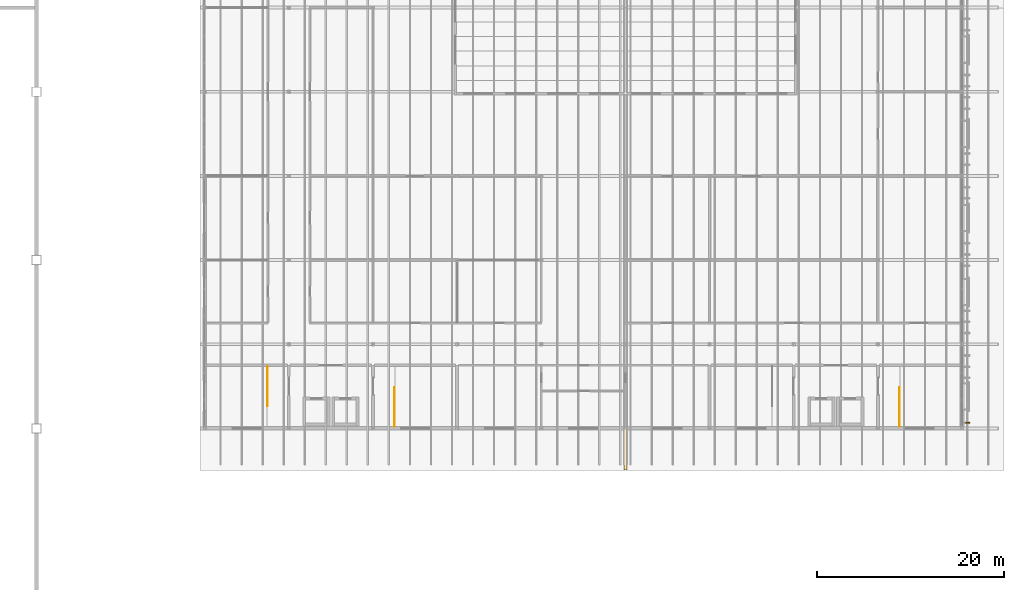
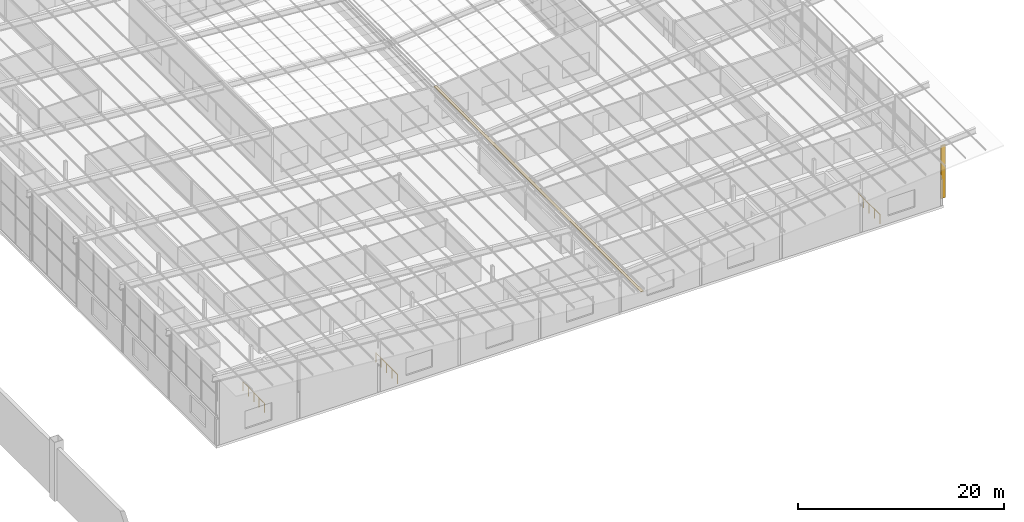
# One storey, part 83 of 85: 3 railings, 2 coverings.
"""IFC4 building model written with IfcOpenShell, lengths in metres."""

import ifcopenshell
import ifcopenshell.guid

model = None  # the IFC model being written
_history = None  # IfcOwnerHistory: only IFC2X3 demands one
_inside = {}  # id of a spatial element -> (the spatial element, [elements in it])
_under = {}  # id of a project, library or spatial element -> (it, [spatial elements below it])
_declared = {}  # id of a project -> (the project, [libraries it declares])
_typed = {}  # id of a type object -> (the type object, [elements of that type])
_made_of = {}  # id of a material, layer set ... -> (it, [elements and type objects made of it])


def new_model(schema):
    """Start an empty IFC model of exactly this schema.

    Asked for "IFC4X3", IfcOpenShell would pick the latest addendum, in which some entities
    have other attributes; the version numbers below select the first issue.
    IFC2X3 requires an IfcOwnerHistory on every rooted entity: one is made here for all.
    """
    global model, _history
    if schema == "IFC4X3":
        model = ifcopenshell.file(schema_version=(4, 3, 0, 0))
    else:
        model = ifcopenshell.file(schema=schema)
    _inside.clear()
    _under.clear()
    _declared.clear()
    _typed.clear()
    _made_of.clear()
    _history = None
    if model.schema == "IFC2X3":
        org = make("IfcOrganization", Name="unknown")
        user = make(
            "IfcPersonAndOrganization",
            ThePerson=make("IfcPerson", FamilyName="unknown"),
            TheOrganization=org,
        )
        app = make(
            "IfcApplication",
            ApplicationDeveloper=org,
            Version="unknown",
            ApplicationFullName="unknown",
            ApplicationIdentifier="unknown",
        )
        _history = make(
            "IfcOwnerHistory",
            OwningUser=user,
            OwningApplication=app,
            ChangeAction="ADDED",
            CreationDate=0,
        )
    return model


def make(cls, **values):
    """One entity of the class cls with the attributes given. An attribute that is None is left unset."""
    return model.create_entity(
        cls, **{name: value for name, value in values.items() if value is not None}
    )


def rooted(cls, **values):
    """An entity with a GlobalId (a new one), such as an element, a storey or a relation."""
    return make(cls, GlobalId=ifcopenshell.guid.new(), OwnerHistory=_history, **values)


def si_unit(unit_type, name, prefix=None):
    """IfcSIUnit, for example si_unit("LENGTHUNIT", "METRE", prefix="MILLI")."""
    return make("IfcSIUnit", UnitType=unit_type, Prefix=prefix, Name=name)


def assignment(units):
    """IfcUnitAssignment: the units of a project."""
    return None if units is None else make("IfcUnitAssignment", Units=units)


def point(xyz):
    """IfcCartesianPoint."""
    return None if xyz is None else make("IfcCartesianPoint", Coordinates=xyz)


def direction(xyz):
    """IfcDirection."""
    return None if xyz is None else make("IfcDirection", DirectionRatios=xyz)


def frame(location, z_axis=None, x_axis=None):
    """IfcAxis2Placement3D, a coordinate frame: its origin and axes. An axis left out is left unset."""
    return make(
        "IfcAxis2Placement3D",
        Location=point(location),
        Axis=direction(z_axis),
        RefDirection=direction(x_axis),
    )


def frame_2d(location, x_axis=None):
    """IfcAxis2Placement2D, a coordinate frame in the plane: its origin and x axis."""
    return make(
        "IfcAxis2Placement2D", Location=point(location), RefDirection=direction(x_axis)
    )


def origin():
    """The frame at (0, 0, 0) with its axes left unset."""
    return frame((0.0, 0.0, 0.0))


def origin_2d():
    """The frame at (0, 0) in the plane with its x axis left unset."""
    return frame_2d((0.0, 0.0))


def place(relative_to, where):
    """IfcLocalPlacement: puts the frame where relative to a parent placement (None: the world)."""
    return make(
        "IfcLocalPlacement", PlacementRelTo=relative_to, RelativePlacement=where
    )


def context(
    kind, dimensions, precision=None, world=None, true_north=None, identifier=None
):
    """IfcGeometricRepresentationContext, for example the 3D "Model" context."""
    return make(
        "IfcGeometricRepresentationContext",
        ContextIdentifier=identifier,
        ContextType=kind,
        CoordinateSpaceDimension=dimensions,
        Precision=precision,
        WorldCoordinateSystem=world,
        TrueNorth=true_north,
    )


def subcontext(parent, identifier, kind, view, scale=None):
    """IfcGeometricRepresentationSubContext, for example "Body" below "Model"."""
    return make(
        "IfcGeometricRepresentationSubContext",
        ContextIdentifier=identifier,
        ContextType=kind,
        ParentContext=parent,
        TargetScale=scale,
        TargetView=view,
    )


def project(units=None, contexts=None):
    """IfcProject with its units and contexts."""
    return rooted(
        "IfcProject",
        Name="project",
        RepresentationContexts=contexts,
        UnitsInContext=assignment(units),
    )


def spatial(cls, under=None, at=None, **own):
    """A site, building, storey or space (cls), placed at a placement, below another one or the project."""
    s = rooted(cls, ObjectPlacement=at, **own)
    if under is not None:
        _under.setdefault(under.id(), (under, []))[1].append(s)
    return s


def profile(cls, at=None, kind="AREA", **sizes):
    """A parametric profile (cls). Its sizes go by their IFC names, for example OverallWidth=200.0."""
    return make(cls, ProfileType=kind, Position=at, **sizes)


def rectangle(**sizes):
    """IfcRectangleProfileDef."""
    return profile("IfcRectangleProfileDef", **sizes)


def circle(**sizes):
    """IfcCircleProfileDef."""
    return profile("IfcCircleProfileDef", **sizes)


def extrude(swept, where, along, depth):
    """IfcExtrudedAreaSolid: the profile swept, set in the frame where, extruded along a direction by depth."""
    return make(
        "IfcExtrudedAreaSolid",
        SweptArea=swept,
        Position=where,
        ExtrudedDirection=direction(along),
        Depth=depth,
    )


def shape(context_of_items, identifier, shape_type, items):
    """IfcShapeRepresentation: the items that make up one representation, for example the "Body"."""
    return make(
        "IfcShapeRepresentation",
        ContextOfItems=context_of_items,
        RepresentationIdentifier=identifier,
        RepresentationType=shape_type,
        Items=items,
    )


def material(Name=None, Category=None):
    """IfcMaterial."""
    return make("IfcMaterial", Name=Name, Category=Category)


def layer(
    of_material, thickness, ventilated=None, Name=None, Category=None, Priority=None
):
    """IfcMaterialLayer: one layer of a wall or slab, of a material (None: an air gap)."""
    return make(
        "IfcMaterialLayer",
        Material=of_material,
        LayerThickness=thickness,
        IsVentilated=ventilated,
        Name=Name,
        Category=Category,
        Priority=Priority,
    )


def layer_set(layers, Name=None):
    """IfcMaterialLayerSet."""
    return make("IfcMaterialLayerSet", MaterialLayers=layers, LayerSetName=Name)


def constituent(of_material, Name=None, Category=None, fraction=None):
    """IfcMaterialConstituent: one of the materials an element consists of."""
    return make(
        "IfcMaterialConstituent",
        Name=Name,
        Material=of_material,
        Fraction=fraction,
        Category=Category,
    )


def constituent_set(constituents=None, Name=None):
    """IfcMaterialConstituentSet."""
    return make(
        "IfcMaterialConstituentSet", Name=Name, MaterialConstituents=constituents
    )


def made_of(thing, what):
    """Note that an element or type object is made of a material, layer set ...; save() writes the relation."""
    if what is not None:
        _made_of.setdefault(what.id(), (what, []))[1].append(thing)
    return thing


def type_object(cls, material=None, **own):
    """A type object (cls), such as IfcWallType, which elements share."""
    return made_of(rooted(cls, **own), material)


def element(
    cls,
    number,
    at=None,
    inside=None,
    cuts=None,
    type_object=None,
    material=None,
    context=None,
    identifier="Body",
    shape_type=None,
    held_by="IfcProductDefinitionShape",
    body=None,
    shapes=None,
    **own,
):
    """One element of the class cls, such as IfcWall. Its Tag is "e" and its number.

    at: its placement. inside: the storey or other place that contains it. cuts: it is an
    opening in that element (IfcRelVoidsElement). A single representation is given by context,
    identifier, shape_type and body (its items); several are given by shapes. held_by: the class
    of the entity that holds the representations. save() writes the other relations.
    """
    e = rooted(cls, Tag="e%d" % number, ObjectPlacement=at, **own)
    if body is not None:
        shapes = [shape(context, identifier, shape_type, body)]
    if shapes is not None:
        e.Representation = make(held_by, Representations=shapes)
    if inside is not None:
        _inside.setdefault(inside.id(), (inside, []))[1].append(e)
    if cuts is not None:
        rooted(
            "IfcRelVoidsElement", RelatingBuildingElement=cuts, RelatedOpeningElement=e
        )
    if type_object is not None:
        _typed.setdefault(type_object.id(), (type_object, []))[1].append(e)
    return made_of(e, material)


def aggregate(whole, parts):
    """IfcRelAggregates: a whole, such as a stair, and the parts it consists of."""
    return rooted("IfcRelAggregates", RelatingObject=whole, RelatedObjects=parts)


def save(model, path):
    """Write the relations noted so far, then the file.

    IfcRelAggregates (storeys below a building ...), IfcRelContainedInSpatialStructure (elements
    in a storey), IfcRelDefinesByType, IfcRelAssociatesMaterial and IfcRelDeclares: one each for
    every whole, place, type object, material and project.
    """
    for whole, parts in _under.values():
        aggregate(whole, parts)
    for where, things in _inside.values():
        rooted(
            "IfcRelContainedInSpatialStructure",
            RelatedElements=things,
            RelatingStructure=where,
        )
    for kind, things in _typed.values():
        rooted("IfcRelDefinesByType", RelatedObjects=things, RelatingType=kind)
    for what, things in _made_of.values():
        rooted("IfcRelAssociatesMaterial", RelatedObjects=things, RelatingMaterial=what)
    for by, libraries in _declared.values():
        rooted("IfcRelDeclares", RelatingContext=by, RelatedDefinitions=libraries)
    model.write(path)


model = new_model("IFC4")

# Units and contexts
model_context = context("Model", 3, precision=1e-05, world=origin(), true_north=direction((0.0, 1.0)))
body_context = subcontext(model_context, "Body", "Model", "MODEL_VIEW")
ifc_project = project(units=[si_unit("LENGTHUNIT", "METRE"), si_unit("AREAUNIT", "SQUARE_METRE"), si_unit("VOLUMEUNIT", "CUBIC_METRE"), si_unit("PLANEANGLEUNIT", "RADIAN"), si_unit("MASSUNIT", "GRAM", prefix="KILO")], contexts=[model_context])

# Site, building, storey
site_placement = place(None, origin())
site = spatial("IfcSite", under=ifc_project, at=site_placement, CompositionType="ELEMENT")
building_placement = place(site_placement, origin())
building = spatial("IfcBuilding", under=site, at=building_placement, Name="Opaline Strait Convention Centre", CompositionType="ELEMENT")
storey_placement = place(building_placement, frame((0.0, 0.0, 17.0)))
storey = spatial("IfcBuildingStorey", under=building, at=storey_placement, Name="L03", CompositionType="ELEMENT", Elevation=17.0)

# Railings
ifc_material_1 = material(Name="Steel Q235B", Category="steel")
ifc_constituent_1 = constituent(ifc_material_1, Name="Frame")
ifc_material_2 = material(Name="Safety glass, bonded interlayer", Category="glass")
ifc_constituent_2 = constituent(ifc_material_2, Name="Infill")
ifc_constituent_set = constituent_set(constituents=[ifc_constituent_1, ifc_constituent_2], Name="Steel Q235B, Safety glass, bonded interlayer")
railing_type = type_object("IfcRailingType", Name="Guard 1100 steel and glass", PredefinedType="GUARDRAIL", material=ifc_constituent_set)
railing_placement = place(storey_placement, frame((285.7001953125, 96.60009765625, 0.0)))
element("IfcRailing", 1, at=railing_placement, inside=storey, type_object=railing_type, Name="L03 S1 top well guard 1", PredefinedType="GUARDRAIL", context=body_context, shape_type="SweptSolid", body=[
    extrude(circle(Radius=0.02392578125, at=origin_2d()), frame((0.0, 0.0, 1.076171875), z_axis=(0.0, -1.0, 0.0), x_axis=(1.0, 0.0, 0.0)), (0.0, 0.0, 1.0), 4.199951171875),
    extrude(circle(Radius=0.02099609375, at=origin_2d()), origin(), (0.0, 0.0, 1.0), 1.052001953125),
    extrude(circle(Radius=0.02099609375, at=origin_2d()), frame((0.0, -1.050048828125, 0.0)), (0.0, 0.0, 1.0), 1.052001953125),
    extrude(circle(Radius=0.02099609375, at=origin_2d()), frame((0.0, -2.10009765625, 0.0)), (0.0, 0.0, 1.0), 1.052001953125),
    extrude(circle(Radius=0.02099609375, at=origin_2d()), frame((0.0, -3.14990234375, 0.0)), (0.0, 0.0, 1.0), 1.052001953125),
    extrude(circle(Radius=0.02099609375, at=origin_2d()), frame((0.0, -4.199951171875, 0.0)), (0.0, 0.0, 1.0), 1.052001953125),
])
for number, where, name in (
    (2, (299.2998046875, 90.199951171875, 0.0), "L03 S2 top well guard 1"),
    (3, (353.2998046875, 90.199951171875, 0.0), "L03 S3 top well guard 1"),
):
    element("IfcRailing", number, at=place(storey_placement, frame(where)), inside=storey, type_object=railing_type, Name=name, PredefinedType="GUARDRAIL", context=body_context, shape_type="SweptSolid", body=[
        extrude(circle(Radius=0.02392578125, at=origin_2d()), frame((0.0, 0.0, 1.076171875), z_axis=(0.0, 1.0, 0.0), x_axis=(-1.0, 0.0, 0.0)), (0.0, 0.0, 1.0), 4.199951171875),
        extrude(circle(Radius=0.02099609375, at=origin_2d()), origin(), (0.0, 0.0, 1.0), 1.052001953125),
        extrude(circle(Radius=0.02099609375, at=origin_2d()), frame((0.0, 1.050048828125, 0.0)), (0.0, 0.0, 1.0), 1.052001953125),
        extrude(circle(Radius=0.02099609375, at=origin_2d()), frame((0.0, 2.10009765625, 0.0)), (0.0, 0.0, 1.0), 1.052001953125),
        extrude(circle(Radius=0.02099609375, at=origin_2d()), frame((0.0, 3.14990234375, 0.0)), (0.0, 0.0, 1.0), 1.052001953125),
        extrude(circle(Radius=0.02099609375, at=origin_2d()), frame((0.0, 4.199951171875, 0.0)), (0.0, 0.0, 1.0), 1.052001953125),
    ])

# Coverings
ifc_material_3 = material(Name="Aluminium alloy 6063-T5", Category="aluminium")
ifc_layer_1 = layer(ifc_material_3, 0.0400390625)
ifc_layer_set_1 = layer_set([ifc_layer_1], Name="Aluminium alloy 6063-T5")
covering_type_1 = type_object("IfcCoveringType", Name="Ridge cap 300 aluminium", PredefinedType="CLADDING", material=ifc_layer_set_1)
covering_1_placement = place(storey_placement, frame((324.0, 105.597412109375, 5.025146484375), z_axis=(0.0, 0.0, 1.0), x_axis=(1.0, 0.0, 0.0)))
element("IfcCovering", 4, at=covering_1_placement, inside=storey, type_object=covering_type_1, Name="MRC1 valley ridge cap S", PredefinedType="CLADDING", context=body_context, shape_type="SweptSolid", body=[
    extrude(rectangle(XDim=0.300048828125, YDim=40.114990234375, at=origin_2d()), origin(), (0.0, 0.0, 1.0), 0.0400390625),
])
ifc_layer_2 = layer(ifc_material_3, 0.1201171875)
ifc_layer_set_2 = layer_set([ifc_layer_2], Name="Aluminium alloy 6063-T5")
covering_type_2 = type_object("IfcCoveringType", Name="Storm louvre fin 120 x 500 aluminium", PredefinedType="CLADDING", material=ifc_layer_set_2)
covering_2_placement = place(storey_placement, frame((360.60009765625, 90.60009765625, 0.25), z_axis=(0.0, 0.0, 1.0), x_axis=(1.0, 0.0, 0.0)))
element("IfcCovering", 5, at=covering_2_placement, inside=storey, type_object=covering_type_2, Name="Storm louvre fin E L03", PredefinedType="CLADDING", context=body_context, shape_type="SweptSolid", body=[
    extrude(rectangle(XDim=0.5, YDim=0.1201171875, at=origin_2d()), origin(), (0.0, 0.0, 1.0), 6.283203125),
])

save(model, "model.ifc")
